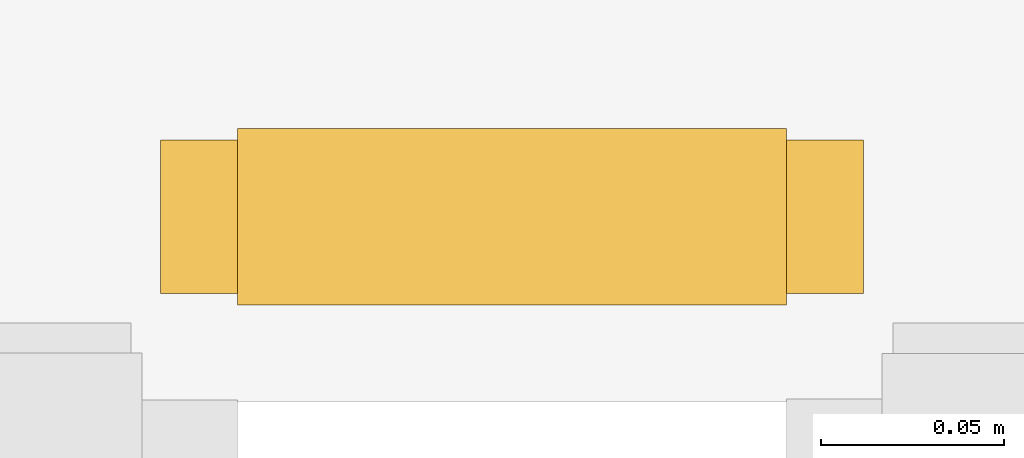
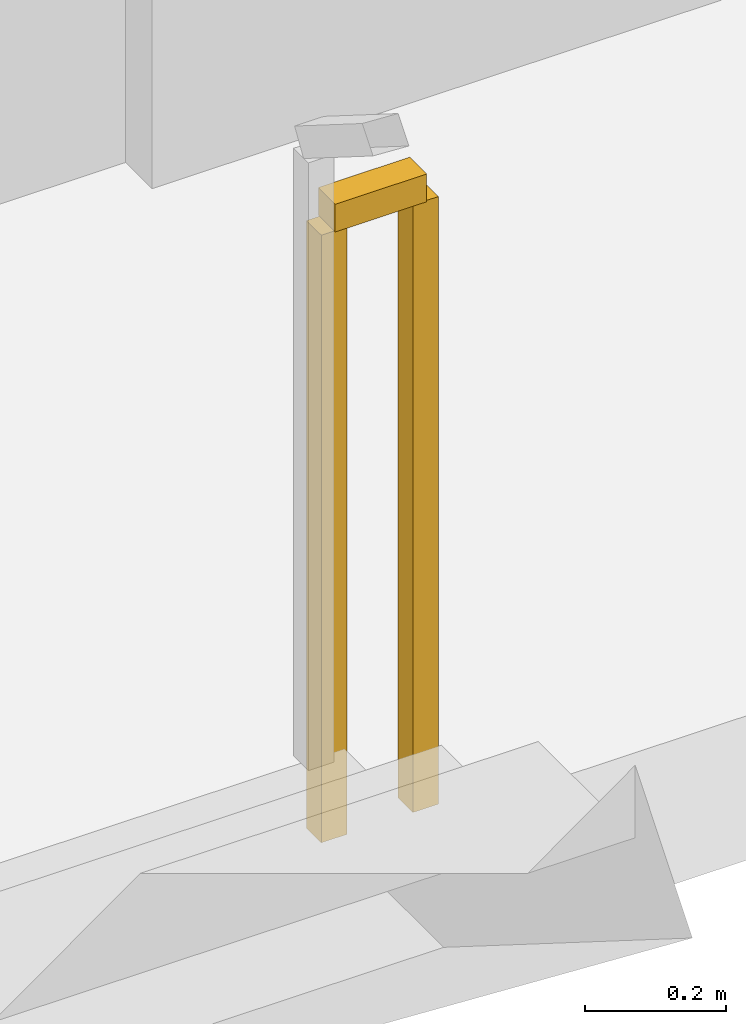
# One storey, part 17 of 21: 1 railing.
"""IFC4 building model written with IfcOpenShell, lengths in metres."""

from ifc_helpers import new_model, si_unit, direction, frame, origin, origin_2d, place, context, subcontext, project, spatial, rectangle, extrude, material, type_object, element, save


model = new_model("IFC4")

# Units and contexts
model_context = context("Model", 3, precision=1e-05, world=origin(), true_north=direction((0.0, 1.0)))
body_context = subcontext(model_context, "Body", "Model", "MODEL_VIEW")
ifc_project = project(units=[si_unit("LENGTHUNIT", "METRE"), si_unit("AREAUNIT", "SQUARE_METRE"), si_unit("VOLUMEUNIT", "CUBIC_METRE"), si_unit("PLANEANGLEUNIT", "RADIAN"), si_unit("MASSUNIT", "GRAM", prefix="KILO")], contexts=[model_context])

# Site, building, storey
site_placement = place(None, origin())
site = spatial("IfcSite", under=ifc_project, at=site_placement, CompositionType="ELEMENT")
building_placement = place(site_placement, origin())
building = spatial("IfcBuilding", under=site, at=building_placement, Name="Cinnabar Lancet Tower", CompositionType="ELEMENT")
storey_placement = place(building_placement, frame((0.0, 0.0, 6.0)))
storey = spatial("IfcBuildingStorey", under=building, at=storey_placement, Name="L01", CompositionType="ELEMENT", Elevation=6.0)

# Railing
ifc_material = material(Name="Painted galvanized steel balustrade", Category="steel")
railing_type = type_object("IfcRailingType", Name="GUARD-STAIR", PredefinedType="GUARDRAIL", material=ifc_material)
railing_placement = place(storey_placement, frame((15.7451171875, 16.199951171875, 0.0)))
element("IfcRailing", 1, at=railing_placement, inside=storey, type_object=railing_type, Name="L01 ST-3 stair guard 4", PredefinedType="GUARDRAIL", context=body_context, shape_type="SweptSolid", body=[
    extrude(rectangle(XDim=0.048095703125, YDim=0.048095703125, at=origin_2d()), frame((0.0, 0.0, 1.076171875), z_axis=(1.0, 0.0, 0.0), x_axis=(0.0, 1.0, 0.0)), (0.0, 0.0, 1.0), 0.14990234375),
    extrude(rectangle(XDim=0.0419921875, YDim=0.0419921875, at=origin_2d()), origin(), (0.0, 0.0, 1.0), 1.052001953125),
    extrude(rectangle(XDim=0.0419921875, YDim=0.0419921875, at=origin_2d()), frame((0.14990234375, 0.0, 0.0)), (0.0, 0.0, 1.0), 1.052001953125),
])

save(model, "model.ifc")
